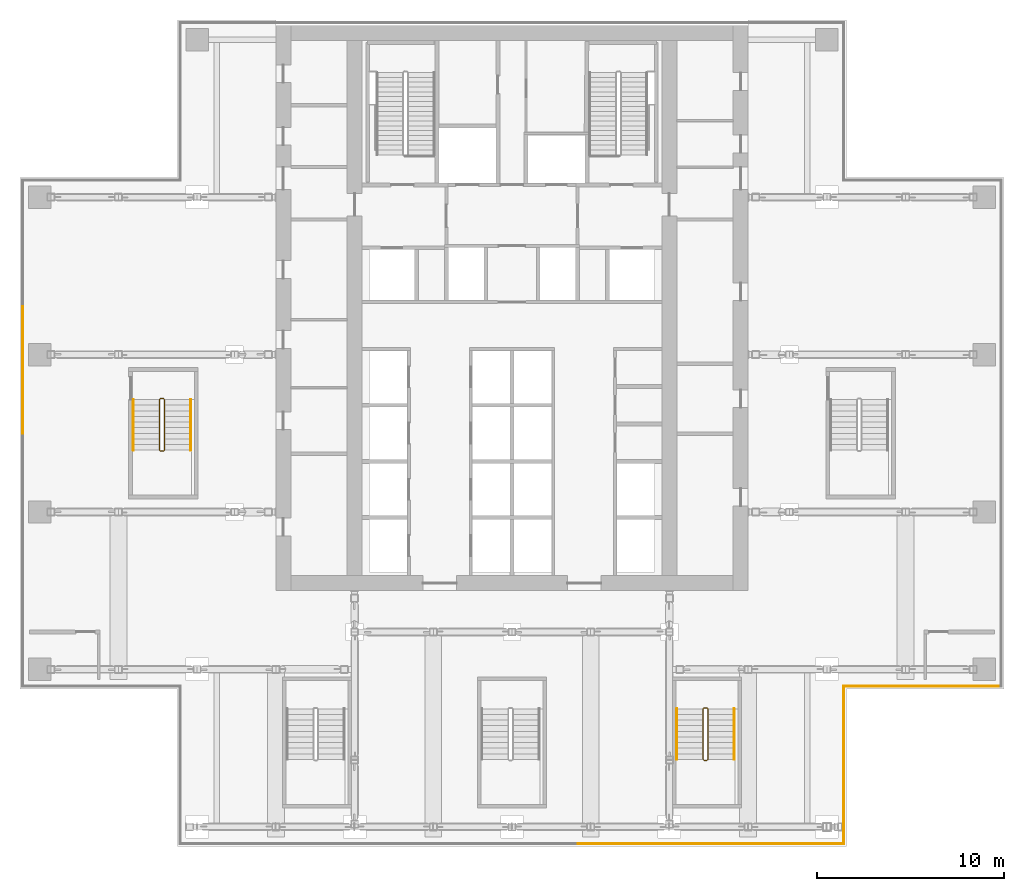
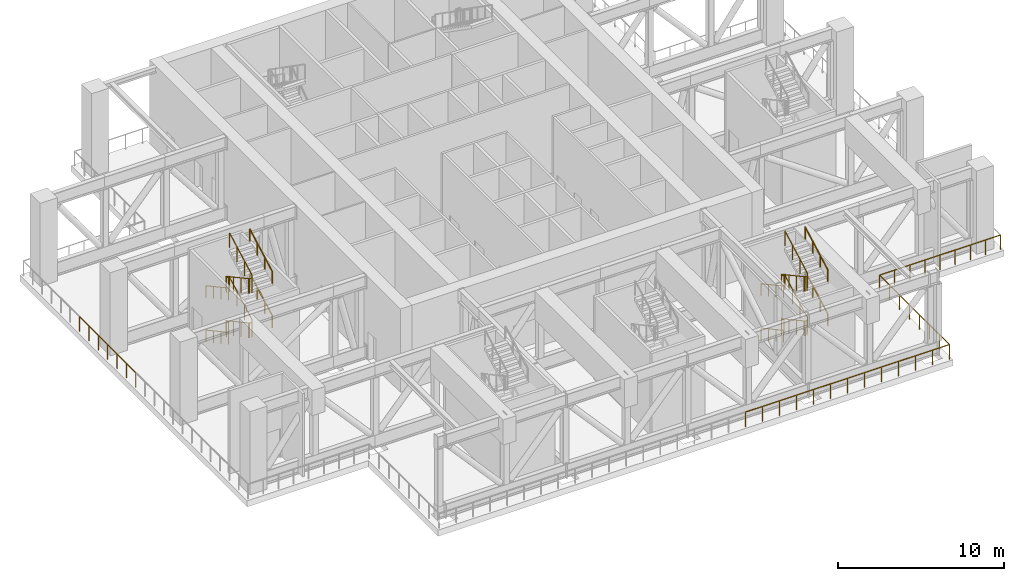
# One storey, part 21 of 23: 15 railings.
"""IFC4 building model written with IfcOpenShell, lengths in metres."""

from ifc_helpers import new_model, si_unit, direction, frame, origin, origin_2d, place, context, subcontext, project, spatial, rectangle, extrude, material, type_object, element, save


model = new_model("IFC4")

# Units and contexts
model_context = context("Model", 3, precision=1e-05, world=origin(), true_north=direction((0.0, 1.0)))
body_context = subcontext(model_context, "Body", "Model", "MODEL_VIEW")
ifc_project = project(units=[si_unit("LENGTHUNIT", "METRE"), si_unit("AREAUNIT", "SQUARE_METRE"), si_unit("VOLUMEUNIT", "CUBIC_METRE"), si_unit("PLANEANGLEUNIT", "RADIAN"), si_unit("MASSUNIT", "GRAM", prefix="KILO")], contexts=[model_context])

# Site, building, storey
site_placement = place(None, origin())
site = spatial("IfcSite", under=ifc_project, at=site_placement, CompositionType="ELEMENT")
building_placement = place(site_placement, origin())
building = spatial("IfcBuilding", under=site, at=building_placement, Name="Vermilion Ogive Tower", CompositionType="ELEMENT")
storey_placement = place(building_placement, frame((0.0, 0.0, 121.800048828125)))
storey = spatial("IfcBuildingStorey", under=building, at=storey_placement, Name="L31", CompositionType="ELEMENT", Elevation=121.800048828125)

# Railings
ifc_material_1 = material(Name="Stainless steel and glass", Category="steel")
railing_type_1 = type_object("IfcRailingType", Name="Edge guard", PredefinedType="GUARDRAIL", material=ifc_material_1)
railing_1_placement = place(storey_placement, frame((-26.10009765625, 0.0, 0.0)))
element("IfcRailing", 1, at=railing_1_placement, inside=storey, type_object=railing_type_1, Name="Open edge guard L31 3.3", PredefinedType="GUARDRAIL", context=body_context, shape_type="SweptSolid", body=[
    extrude(rectangle(XDim=0.048095703125, YDim=0.048095703125, at=origin_2d()), frame((0.0, 0.0, 1.076171875), z_axis=(0.0, 1.0, 0.0), x_axis=(-1.0, 0.0, 0.0)), (0.0, 0.0, 1.0), 6.75),
    extrude(rectangle(XDim=0.0419921875, YDim=0.0419921875, at=origin_2d()), origin(), (0.0, 0.0, 1.0), 1.052001953125),
    extrude(rectangle(XDim=0.0419921875, YDim=0.0419921875, at=origin_2d()), frame((0.0, 1.125, 0.0)), (0.0, 0.0, 1.0), 1.052001953125),
    extrude(rectangle(XDim=0.0419921875, YDim=0.0419921875, at=origin_2d()), frame((0.0, 2.25, 0.0)), (0.0, 0.0, 1.0), 1.052001953125),
    extrude(rectangle(XDim=0.0419921875, YDim=0.0419921875, at=origin_2d()), frame((0.0, 3.375, 0.0)), (0.0, 0.0, 1.0), 1.052001953125),
    extrude(rectangle(XDim=0.0419921875, YDim=0.0419921875, at=origin_2d()), frame((0.0, 4.5, 0.0)), (0.0, 0.0, 1.0), 1.052001953125),
    extrude(rectangle(XDim=0.0419921875, YDim=0.0419921875, at=origin_2d()), frame((0.0, 5.625, 0.0)), (0.0, 0.0, 1.0), 1.052001953125),
    extrude(rectangle(XDim=0.0419921875, YDim=0.0419921875, at=origin_2d()), frame((0.0, 6.75, 0.0)), (0.0, 0.0, 1.0), 1.052001953125),
])
railing_2_placement = place(storey_placement, frame((26.10009765625, -13.5, 0.0)))
element("IfcRailing", 2, at=railing_2_placement, inside=storey, type_object=railing_type_1, Name="Open edge guard L31 10.1", PredefinedType="GUARDRAIL", context=body_context, shape_type="SweptSolid", body=[
    extrude(rectangle(XDim=0.048095703125, YDim=0.048095703125, at=origin_2d()), frame((0.0, 0.0, 1.076171875), z_axis=(-1.0, 0.0, 0.0), x_axis=(0.0, -1.0, 0.0)), (0.0, 0.0, 1.0), 8.400146484375),
    extrude(rectangle(XDim=0.0419921875, YDim=0.0419921875, at=origin_2d()), origin(), (0.0, 0.0, 1.0), 1.052001953125),
    extrude(rectangle(XDim=0.0419921875, YDim=0.0419921875, at=origin_2d()), frame((-1.050048828125, 0.0, 0.0)), (0.0, 0.0, 1.0), 1.052001953125),
    extrude(rectangle(XDim=0.0419921875, YDim=0.0419921875, at=origin_2d()), frame((-2.10009765625, 0.0, 0.0)), (0.0, 0.0, 1.0), 1.052001953125),
    extrude(rectangle(XDim=0.0419921875, YDim=0.0419921875, at=origin_2d()), frame((-3.150146484375, 0.0, 0.0)), (0.0, 0.0, 1.0), 1.052001953125),
    extrude(rectangle(XDim=0.0419921875, YDim=0.0419921875, at=origin_2d()), frame((-4.2001953125, 0.0, 0.0)), (0.0, 0.0, 1.0), 1.052001953125),
    extrude(rectangle(XDim=0.0419921875, YDim=0.0419921875, at=origin_2d()), frame((-5.25, 0.0, 0.0)), (0.0, 0.0, 1.0), 1.052001953125),
    extrude(rectangle(XDim=0.0419921875, YDim=0.0419921875, at=origin_2d()), frame((-6.300048828125, 0.0, 0.0)), (0.0, 0.0, 1.0), 1.052001953125),
    extrude(rectangle(XDim=0.0419921875, YDim=0.0419921875, at=origin_2d()), frame((-7.35009765625, 0.0, 0.0)), (0.0, 0.0, 1.0), 1.052001953125),
    extrude(rectangle(XDim=0.0419921875, YDim=0.0419921875, at=origin_2d()), frame((-8.400146484375, 0.0, 0.0)), (0.0, 0.0, 1.0), 1.052001953125),
])
railing_3_placement = place(storey_placement, frame((17.699951171875, -13.5, 0.0)))
element("IfcRailing", 3, at=railing_3_placement, inside=storey, type_object=railing_type_1, Name="Open edge guard L31 11.1", PredefinedType="GUARDRAIL", context=body_context, shape_type="SweptSolid", body=[
    extrude(rectangle(XDim=0.048095703125, YDim=0.048095703125, at=origin_2d()), frame((0.0, 0.0, 1.076171875), z_axis=(0.0, -1.0, 0.0), x_axis=(1.0, 0.0, 0.0)), (0.0, 0.0, 1.0), 8.39990234375),
    extrude(rectangle(XDim=0.0419921875, YDim=0.0419921875, at=origin_2d()), origin(), (0.0, 0.0, 1.0), 1.052001953125),
    extrude(rectangle(XDim=0.0419921875, YDim=0.0419921875, at=origin_2d()), frame((0.0, -1.199951171875, 0.0)), (0.0, 0.0, 1.0), 1.052001953125),
    extrude(rectangle(XDim=0.0419921875, YDim=0.0419921875, at=origin_2d()), frame((0.0, -2.39990234375, 0.0)), (0.0, 0.0, 1.0), 1.052001953125),
    extrude(rectangle(XDim=0.0419921875, YDim=0.0419921875, at=origin_2d()), frame((0.0, -3.599853515625, 0.0)), (0.0, 0.0, 1.0), 1.052001953125),
    extrude(rectangle(XDim=0.0419921875, YDim=0.0419921875, at=origin_2d()), frame((0.0, -4.800048828125, 0.0)), (0.0, 0.0, 1.0), 1.052001953125),
    extrude(rectangle(XDim=0.0419921875, YDim=0.0419921875, at=origin_2d()), frame((0.0, -6.0, 0.0)), (0.0, 0.0, 1.0), 1.052001953125),
    extrude(rectangle(XDim=0.0419921875, YDim=0.0419921875, at=origin_2d()), frame((0.0, -7.199951171875, 0.0)), (0.0, 0.0, 1.0), 1.052001953125),
    extrude(rectangle(XDim=0.0419921875, YDim=0.0419921875, at=origin_2d()), frame((0.0, -8.39990234375, 0.0)), (0.0, 0.0, 1.0), 1.052001953125),
])
railing_4_placement = place(storey_placement, frame((17.699951171875, -21.89990234375, 0.0)))
element("IfcRailing", 4, at=railing_4_placement, inside=storey, type_object=railing_type_1, Name="Open edge guard L31 12.1", PredefinedType="GUARDRAIL", context=body_context, shape_type="SweptSolid", body=[
    extrude(rectangle(XDim=0.048095703125, YDim=0.048095703125, at=origin_2d()), frame((0.0, 0.0, 1.076171875), z_axis=(-1.0, 0.0, 0.0), x_axis=(0.0, -1.0, 0.0)), (0.0, 0.0, 1.0), 7.079833984375),
    extrude(rectangle(XDim=0.0419921875, YDim=0.0419921875, at=origin_2d()), origin(), (0.0, 0.0, 1.0), 1.052001953125),
    extrude(rectangle(XDim=0.0419921875, YDim=0.0419921875, at=origin_2d()), frame((-1.179931640625, 0.0, 0.0)), (0.0, 0.0, 1.0), 1.052001953125),
    extrude(rectangle(XDim=0.0419921875, YDim=0.0419921875, at=origin_2d()), frame((-2.35986328125, 0.0, 0.0)), (0.0, 0.0, 1.0), 1.052001953125),
    extrude(rectangle(XDim=0.0419921875, YDim=0.0419921875, at=origin_2d()), frame((-3.5400390625, 0.0, 0.0)), (0.0, 0.0, 1.0), 1.052001953125),
    extrude(rectangle(XDim=0.0419921875, YDim=0.0419921875, at=origin_2d()), frame((-4.719970703125, 0.0, 0.0)), (0.0, 0.0, 1.0), 1.052001953125),
    extrude(rectangle(XDim=0.0419921875, YDim=0.0419921875, at=origin_2d()), frame((-5.89990234375, 0.0, 0.0)), (0.0, 0.0, 1.0), 1.052001953125),
    extrude(rectangle(XDim=0.0419921875, YDim=0.0419921875, at=origin_2d()), frame((-7.079833984375, 0.0, 0.0)), (0.0, 0.0, 1.0), 1.052001953125),
])
railing_5_placement = place(storey_placement, frame((10.6201171875, -21.89990234375, 0.0)))
element("IfcRailing", 5, at=railing_5_placement, inside=storey, type_object=railing_type_1, Name="Open edge guard L31 12.2", PredefinedType="GUARDRAIL", context=body_context, shape_type="SweptSolid", body=[
    extrude(rectangle(XDim=0.048095703125, YDim=0.048095703125, at=origin_2d()), frame((0.0, 0.0, 1.076171875), z_axis=(-1.0, 0.0, 0.0), x_axis=(0.0, -1.0, 0.0)), (0.0, 0.0, 1.0), 7.080078125),
    extrude(rectangle(XDim=0.0419921875, YDim=0.0419921875, at=origin_2d()), origin(), (0.0, 0.0, 1.0), 1.052001953125),
    extrude(rectangle(XDim=0.0419921875, YDim=0.0419921875, at=origin_2d()), frame((-1.179931640625, 0.0, 0.0)), (0.0, 0.0, 1.0), 1.052001953125),
    extrude(rectangle(XDim=0.0419921875, YDim=0.0419921875, at=origin_2d()), frame((-2.360107421875, 0.0, 0.0)), (0.0, 0.0, 1.0), 1.052001953125),
    extrude(rectangle(XDim=0.0419921875, YDim=0.0419921875, at=origin_2d()), frame((-3.5400390625, 0.0, 0.0)), (0.0, 0.0, 1.0), 1.052001953125),
    extrude(rectangle(XDim=0.0419921875, YDim=0.0419921875, at=origin_2d()), frame((-4.719970703125, 0.0, 0.0)), (0.0, 0.0, 1.0), 1.052001953125),
    extrude(rectangle(XDim=0.0419921875, YDim=0.0419921875, at=origin_2d()), frame((-5.900146484375, 0.0, 0.0)), (0.0, 0.0, 1.0), 1.052001953125),
    extrude(rectangle(XDim=0.0419921875, YDim=0.0419921875, at=origin_2d()), frame((-7.080078125, 0.0, 0.0)), (0.0, 0.0, 1.0), 1.052001953125),
])
ifc_material_2 = material(Name="Steel S355 painted", Category="steel")
railing_type_2 = type_object("IfcRailingType", Name="Stair guard 1100", PredefinedType="GUARDRAIL", material=ifc_material_2)
railing_6_placement = place(storey_placement, frame((10.39990234375, -14.64990234375, 0.0)))
element("IfcRailing", 6, at=railing_6_placement, inside=storey, type_object=railing_type_2, Name="L31 ST5 stair guard 8", PredefinedType="GUARDRAIL", context=body_context, shape_type="SweptSolid", body=[
    extrude(rectangle(XDim=0.048095703125, YDim=0.048095703125, at=origin_2d()), frame((0.0, 0.0, 1.076171875), z_axis=(-1.0, 0.0, 0.0), x_axis=(0.0, -1.0, 0.0)), (0.0, 0.0, 1.0), 0.14990234375),
    extrude(rectangle(XDim=0.048095703125, YDim=0.048095703125, at=origin_2d()), frame((-0.14990234375, 0.0, 1.076171875), z_axis=(-0.282583949758, -0.282583949758, 0.916674763849), x_axis=(0.707106781187, -0.707106781187, 0.0)), (0.0, 0.0, 1.0), 0.177001953125),
    extrude(rectangle(XDim=0.048095703125, YDim=0.048095703125, at=origin_2d()), frame((-0.199951171875, -0.050048828125, 1.23828125), z_axis=(0.0, -0.879268380148, 0.476326690069), x_axis=(1.0, 0.0, 0.0)), (0.0, 0.0, 1.0), 3.07080078125),
    extrude(rectangle(XDim=0.048095703125, YDim=0.048095703125, at=origin_2d()), frame((-0.199951171875, -2.75, 2.701171875), z_axis=(0.707106781187, -0.707106781187, 0.0), x_axis=(0.707106781187, 0.707106781187, 0.0)), (0.0, 0.0, 1.0), 0.07080078125),
    extrude(rectangle(XDim=0.048095703125, YDim=0.048095703125, at=origin_2d()), frame((-0.14990234375, -2.800048828125, 2.701171875), z_axis=(1.0, 0.0, 0.0), x_axis=(0.0, 1.0, 0.0)), (0.0, 0.0, 1.0), 0.14990234375),
    extrude(rectangle(XDim=0.048095703125, YDim=0.048095703125, at=origin_2d()), frame((0.0, -2.800048828125, 2.701171875), z_axis=(0.282583949758, 0.282583949758, 0.916674763849), x_axis=(-0.707106781187, 0.707106781187, 0.0)), (0.0, 0.0, 1.0), 0.177001953125),
    extrude(rectangle(XDim=0.048095703125, YDim=0.048095703125, at=origin_2d()), frame((0.050048828125, -2.75, 2.86328125), z_axis=(0.0, 0.879268380148, 0.476326690069), x_axis=(-1.0, 0.0, 0.0)), (0.0, 0.0, 1.0), 3.07080078125),
    extrude(rectangle(XDim=0.048095703125, YDim=0.048095703125, at=origin_2d()), frame((0.050048828125, -0.050048828125, 4.326171875), z_axis=(-0.707106781187, 0.707106781187, 0.0), x_axis=(-0.707106781187, -0.707106781187, 0.0)), (0.0, 0.0, 1.0), 0.07080078125),
    extrude(rectangle(XDim=0.048095703125, YDim=0.048095703125, at=origin_2d()), frame((0.0, 0.0, 4.326171875), z_axis=(-1.0, 0.0, 0.0), x_axis=(0.0, -1.0, 0.0)), (0.0, 0.0, 1.0), 0.14990234375),
    extrude(rectangle(XDim=0.048095703125, YDim=0.048095703125, at=origin_2d()), frame((-0.14990234375, 0.0, 4.326171875), z_axis=(-0.282583949758, -0.282583949758, 0.916674763849), x_axis=(0.707106781187, -0.707106781187, 0.0)), (0.0, 0.0, 1.0), 0.177001953125),
    extrude(rectangle(XDim=0.048095703125, YDim=0.048095703125, at=origin_2d()), frame((-0.199951171875, -0.050048828125, 4.48828125), z_axis=(0.0, -0.879268380148, 0.476326690069), x_axis=(1.0, 0.0, 0.0)), (0.0, 0.0, 1.0), 3.07080078125),
    extrude(rectangle(XDim=0.048095703125, YDim=0.048095703125, at=origin_2d()), frame((-0.199951171875, -2.75, 5.951171875), z_axis=(0.707106781187, -0.707106781187, 0.0), x_axis=(0.707106781187, 0.707106781187, 0.0)), (0.0, 0.0, 1.0), 0.07080078125),
    extrude(rectangle(XDim=0.048095703125, YDim=0.048095703125, at=origin_2d()), frame((-0.14990234375, -2.800048828125, 5.951171875), z_axis=(1.0, 0.0, 0.0), x_axis=(0.0, 1.0, 0.0)), (0.0, 0.0, 1.0), 0.14990234375),
    extrude(rectangle(XDim=0.048095703125, YDim=0.048095703125, at=origin_2d()), frame((0.0, -2.800048828125, 5.951171875), z_axis=(0.282583949758, 0.282583949758, 0.916674763849), x_axis=(-0.707106781187, 0.707106781187, 0.0)), (0.0, 0.0, 1.0), 0.177001953125),
    extrude(rectangle(XDim=0.048095703125, YDim=0.048095703125, at=origin_2d()), frame((0.050048828125, -2.75, 6.11328125), z_axis=(0.0, 0.879268380148, 0.476326690069), x_axis=(-1.0, 0.0, 0.0)), (0.0, 0.0, 1.0), 3.07080078125),
    extrude(rectangle(XDim=0.0419921875, YDim=0.0419921875, at=origin_2d()), origin(), (0.0, 0.0, 1.0), 1.052001953125),
    extrude(rectangle(XDim=0.0419921875, YDim=0.0419921875, at=origin_2d()), frame((-0.14990234375, 0.0, 0.0)), (0.0, 0.0, 1.0), 1.052001953125),
    extrude(rectangle(XDim=0.0419921875, YDim=0.0419921875, at=origin_2d()), frame((-0.199951171875, -0.050048828125, 0.162353515625)), (0.0, 0.0, 1.0), 1.052001953125),
    extrude(rectangle(XDim=0.0419921875, YDim=0.0419921875, at=origin_2d()), frame((-0.199951171875, -0.949951171875, 0.64990234375)), (0.0, 0.0, 1.0), 1.052001953125),
    extrude(rectangle(XDim=0.0419921875, YDim=0.0419921875, at=origin_2d()), frame((-0.199951171875, -1.85009765625, 1.137451171875)), (0.0, 0.0, 1.0), 1.052001953125),
    extrude(rectangle(XDim=0.0419921875, YDim=0.0419921875, at=origin_2d()), frame((-0.199951171875, -2.75, 1.625)), (0.0, 0.0, 1.0), 1.052001953125),
    extrude(rectangle(XDim=0.0419921875, YDim=0.0419921875, at=origin_2d()), frame((-0.14990234375, -2.800048828125, 1.625)), (0.0, 0.0, 1.0), 1.052001953125),
    extrude(rectangle(XDim=0.0419921875, YDim=0.0419921875, at=origin_2d()), frame((0.0, -2.800048828125, 1.625)), (0.0, 0.0, 1.0), 1.052001953125),
    extrude(rectangle(XDim=0.0419921875, YDim=0.0419921875, at=origin_2d()), frame((0.050048828125, -2.75, 1.787353515625)), (0.0, 0.0, 1.0), 1.052001953125),
    extrude(rectangle(XDim=0.0419921875, YDim=0.0419921875, at=origin_2d()), frame((0.050048828125, -1.85009765625, 2.27490234375)), (0.0, 0.0, 1.0), 1.052001953125),
    extrude(rectangle(XDim=0.0419921875, YDim=0.0419921875, at=origin_2d()), frame((0.050048828125, -0.949951171875, 2.762451171875)), (0.0, 0.0, 1.0), 1.052001953125),
    extrude(rectangle(XDim=0.0419921875, YDim=0.0419921875, at=origin_2d()), frame((0.050048828125, -0.050048828125, 3.25)), (0.0, 0.0, 1.0), 1.052001953125),
    extrude(rectangle(XDim=0.0419921875, YDim=0.0419921875, at=origin_2d()), frame((0.0, 0.0, 3.25)), (0.0, 0.0, 1.0), 1.052001953125),
    extrude(rectangle(XDim=0.0419921875, YDim=0.0419921875, at=origin_2d()), frame((-0.14990234375, 0.0, 3.25)), (0.0, 0.0, 1.0), 1.052001953125),
    extrude(rectangle(XDim=0.0419921875, YDim=0.0419921875, at=origin_2d()), frame((-0.199951171875, -0.050048828125, 3.412353515625)), (0.0, 0.0, 1.0), 1.052001953125),
    extrude(rectangle(XDim=0.0419921875, YDim=0.0419921875, at=origin_2d()), frame((-0.199951171875, -0.949951171875, 3.89990234375)), (0.0, 0.0, 1.0), 1.052001953125),
    extrude(rectangle(XDim=0.0419921875, YDim=0.0419921875, at=origin_2d()), frame((-0.199951171875, -1.85009765625, 4.387451171875)), (0.0, 0.0, 1.0), 1.052001953125),
    extrude(rectangle(XDim=0.0419921875, YDim=0.0419921875, at=origin_2d()), frame((-0.199951171875, -2.75, 4.875)), (0.0, 0.0, 1.0), 1.052001953125),
    extrude(rectangle(XDim=0.0419921875, YDim=0.0419921875, at=origin_2d()), frame((-0.14990234375, -2.800048828125, 4.875)), (0.0, 0.0, 1.0), 1.052001953125),
    extrude(rectangle(XDim=0.0419921875, YDim=0.0419921875, at=origin_2d()), frame((0.0, -2.800048828125, 4.875)), (0.0, 0.0, 1.0), 1.052001953125),
    extrude(rectangle(XDim=0.0419921875, YDim=0.0419921875, at=origin_2d()), frame((0.050048828125, -2.75, 5.037353515625)), (0.0, 0.0, 1.0), 1.052001953125),
    extrude(rectangle(XDim=0.0419921875, YDim=0.0419921875, at=origin_2d()), frame((0.050048828125, -1.85009765625, 5.52490234375)), (0.0, 0.0, 1.0), 1.052001953125),
    extrude(rectangle(XDim=0.0419921875, YDim=0.0419921875, at=origin_2d()), frame((0.050048828125, -0.949951171875, 6.012451171875)), (0.0, 0.0, 1.0), 1.052001953125),
    extrude(rectangle(XDim=0.0419921875, YDim=0.0419921875, at=origin_2d()), frame((0.050048828125, -0.050048828125, 6.5)), (0.0, 0.0, 1.0), 1.052001953125),
])
railing_7_placement = place(storey_placement, frame((-18.60009765625, 1.85009765625, 0.0)))
element("IfcRailing", 7, at=railing_7_placement, inside=storey, type_object=railing_type_2, Name="L31 ST9 stair guard 8", PredefinedType="GUARDRAIL", context=body_context, shape_type="SweptSolid", body=[
    extrude(rectangle(XDim=0.048095703125, YDim=0.048095703125, at=origin_2d()), frame((0.0, 0.0, 1.076171875), z_axis=(-1.0, 0.0, 0.0), x_axis=(0.0, -1.0, 0.0)), (0.0, 0.0, 1.0), 0.14990234375),
    extrude(rectangle(XDim=0.048095703125, YDim=0.048095703125, at=origin_2d()), frame((-0.14990234375, 0.0, 1.076171875), z_axis=(-0.282583949758, -0.282583949758, 0.916674763849), x_axis=(0.707106781187, -0.707106781187, 0.0)), (0.0, 0.0, 1.0), 0.177001953125),
    extrude(rectangle(XDim=0.048095703125, YDim=0.048095703125, at=origin_2d()), frame((-0.199951171875, -0.050048828125, 1.23828125), z_axis=(0.0, -0.879268380148, 0.476326690069), x_axis=(1.0, 0.0, 0.0)), (0.0, 0.0, 1.0), 3.07080078125),
    extrude(rectangle(XDim=0.048095703125, YDim=0.048095703125, at=origin_2d()), frame((-0.199951171875, -2.75, 2.701171875), z_axis=(0.707106781187, -0.707106781187, 0.0), x_axis=(0.707106781187, 0.707106781187, 0.0)), (0.0, 0.0, 1.0), 0.07080078125),
    extrude(rectangle(XDim=0.048095703125, YDim=0.048095703125, at=origin_2d()), frame((-0.14990234375, -2.800048828125, 2.701171875), z_axis=(1.0, 0.0, 0.0), x_axis=(0.0, 1.0, 0.0)), (0.0, 0.0, 1.0), 0.14990234375),
    extrude(rectangle(XDim=0.048095703125, YDim=0.048095703125, at=origin_2d()), frame((0.0, -2.800048828125, 2.701171875), z_axis=(0.282583949758, 0.282583949758, 0.916674763849), x_axis=(-0.707106781187, 0.707106781187, 0.0)), (0.0, 0.0, 1.0), 0.177001953125),
    extrude(rectangle(XDim=0.048095703125, YDim=0.048095703125, at=origin_2d()), frame((0.050048828125, -2.75, 2.86328125), z_axis=(0.0, 0.879268380148, 0.476326690069), x_axis=(-1.0, 0.0, 0.0)), (0.0, 0.0, 1.0), 3.07080078125),
    extrude(rectangle(XDim=0.048095703125, YDim=0.048095703125, at=origin_2d()), frame((0.050048828125, -0.050048828125, 4.326171875), z_axis=(-0.707106781187, 0.707106781187, 0.0), x_axis=(-0.707106781187, -0.707106781187, 0.0)), (0.0, 0.0, 1.0), 0.07080078125),
    extrude(rectangle(XDim=0.048095703125, YDim=0.048095703125, at=origin_2d()), frame((0.0, 0.0, 4.326171875), z_axis=(-1.0, 0.0, 0.0), x_axis=(0.0, -1.0, 0.0)), (0.0, 0.0, 1.0), 0.14990234375),
    extrude(rectangle(XDim=0.048095703125, YDim=0.048095703125, at=origin_2d()), frame((-0.14990234375, 0.0, 4.326171875), z_axis=(-0.282583949758, -0.282583949758, 0.916674763849), x_axis=(0.707106781187, -0.707106781187, 0.0)), (0.0, 0.0, 1.0), 0.177001953125),
    extrude(rectangle(XDim=0.048095703125, YDim=0.048095703125, at=origin_2d()), frame((-0.199951171875, -0.050048828125, 4.48828125), z_axis=(0.0, -0.879268380148, 0.476326690069), x_axis=(1.0, 0.0, 0.0)), (0.0, 0.0, 1.0), 3.07080078125),
    extrude(rectangle(XDim=0.048095703125, YDim=0.048095703125, at=origin_2d()), frame((-0.199951171875, -2.75, 5.951171875), z_axis=(0.707106781187, -0.707106781187, 0.0), x_axis=(0.707106781187, 0.707106781187, 0.0)), (0.0, 0.0, 1.0), 0.07080078125),
    extrude(rectangle(XDim=0.048095703125, YDim=0.048095703125, at=origin_2d()), frame((-0.14990234375, -2.800048828125, 5.951171875), z_axis=(1.0, 0.0, 0.0), x_axis=(0.0, 1.0, 0.0)), (0.0, 0.0, 1.0), 0.14990234375),
    extrude(rectangle(XDim=0.048095703125, YDim=0.048095703125, at=origin_2d()), frame((0.0, -2.800048828125, 5.951171875), z_axis=(0.282583949758, 0.282583949758, 0.916674763849), x_axis=(-0.707106781187, 0.707106781187, 0.0)), (0.0, 0.0, 1.0), 0.177001953125),
    extrude(rectangle(XDim=0.048095703125, YDim=0.048095703125, at=origin_2d()), frame((0.050048828125, -2.75, 6.11328125), z_axis=(0.0, 0.879268380148, 0.476326690069), x_axis=(-1.0, 0.0, 0.0)), (0.0, 0.0, 1.0), 3.07080078125),
    extrude(rectangle(XDim=0.0419921875, YDim=0.0419921875, at=origin_2d()), origin(), (0.0, 0.0, 1.0), 1.052001953125),
    extrude(rectangle(XDim=0.0419921875, YDim=0.0419921875, at=origin_2d()), frame((-0.14990234375, 0.0, 0.0)), (0.0, 0.0, 1.0), 1.052001953125),
    extrude(rectangle(XDim=0.0419921875, YDim=0.0419921875, at=origin_2d()), frame((-0.199951171875, -0.050048828125, 0.162353515625)), (0.0, 0.0, 1.0), 1.052001953125),
    extrude(rectangle(XDim=0.0419921875, YDim=0.0419921875, at=origin_2d()), frame((-0.199951171875, -0.949951171875, 0.64990234375)), (0.0, 0.0, 1.0), 1.052001953125),
    extrude(rectangle(XDim=0.0419921875, YDim=0.0419921875, at=origin_2d()), frame((-0.199951171875, -1.85009765625, 1.137451171875)), (0.0, 0.0, 1.0), 1.052001953125),
    extrude(rectangle(XDim=0.0419921875, YDim=0.0419921875, at=origin_2d()), frame((-0.199951171875, -2.75, 1.625)), (0.0, 0.0, 1.0), 1.052001953125),
    extrude(rectangle(XDim=0.0419921875, YDim=0.0419921875, at=origin_2d()), frame((-0.14990234375, -2.800048828125, 1.625)), (0.0, 0.0, 1.0), 1.052001953125),
    extrude(rectangle(XDim=0.0419921875, YDim=0.0419921875, at=origin_2d()), frame((0.0, -2.800048828125, 1.625)), (0.0, 0.0, 1.0), 1.052001953125),
    extrude(rectangle(XDim=0.0419921875, YDim=0.0419921875, at=origin_2d()), frame((0.050048828125, -2.75, 1.787353515625)), (0.0, 0.0, 1.0), 1.052001953125),
    extrude(rectangle(XDim=0.0419921875, YDim=0.0419921875, at=origin_2d()), frame((0.050048828125, -1.85009765625, 2.27490234375)), (0.0, 0.0, 1.0), 1.052001953125),
    extrude(rectangle(XDim=0.0419921875, YDim=0.0419921875, at=origin_2d()), frame((0.050048828125, -0.949951171875, 2.762451171875)), (0.0, 0.0, 1.0), 1.052001953125),
    extrude(rectangle(XDim=0.0419921875, YDim=0.0419921875, at=origin_2d()), frame((0.050048828125, -0.050048828125, 3.25)), (0.0, 0.0, 1.0), 1.052001953125),
    extrude(rectangle(XDim=0.0419921875, YDim=0.0419921875, at=origin_2d()), frame((0.0, 0.0, 3.25)), (0.0, 0.0, 1.0), 1.052001953125),
    extrude(rectangle(XDim=0.0419921875, YDim=0.0419921875, at=origin_2d()), frame((-0.14990234375, 0.0, 3.25)), (0.0, 0.0, 1.0), 1.052001953125),
    extrude(rectangle(XDim=0.0419921875, YDim=0.0419921875, at=origin_2d()), frame((-0.199951171875, -0.050048828125, 3.412353515625)), (0.0, 0.0, 1.0), 1.052001953125),
    extrude(rectangle(XDim=0.0419921875, YDim=0.0419921875, at=origin_2d()), frame((-0.199951171875, -0.949951171875, 3.89990234375)), (0.0, 0.0, 1.0), 1.052001953125),
    extrude(rectangle(XDim=0.0419921875, YDim=0.0419921875, at=origin_2d()), frame((-0.199951171875, -1.85009765625, 4.387451171875)), (0.0, 0.0, 1.0), 1.052001953125),
    extrude(rectangle(XDim=0.0419921875, YDim=0.0419921875, at=origin_2d()), frame((-0.199951171875, -2.75, 4.875)), (0.0, 0.0, 1.0), 1.052001953125),
    extrude(rectangle(XDim=0.0419921875, YDim=0.0419921875, at=origin_2d()), frame((-0.14990234375, -2.800048828125, 4.875)), (0.0, 0.0, 1.0), 1.052001953125),
    extrude(rectangle(XDim=0.0419921875, YDim=0.0419921875, at=origin_2d()), frame((0.0, -2.800048828125, 4.875)), (0.0, 0.0, 1.0), 1.052001953125),
    extrude(rectangle(XDim=0.0419921875, YDim=0.0419921875, at=origin_2d()), frame((0.050048828125, -2.75, 5.037353515625)), (0.0, 0.0, 1.0), 1.052001953125),
    extrude(rectangle(XDim=0.0419921875, YDim=0.0419921875, at=origin_2d()), frame((0.050048828125, -1.85009765625, 5.52490234375)), (0.0, 0.0, 1.0), 1.052001953125),
    extrude(rectangle(XDim=0.0419921875, YDim=0.0419921875, at=origin_2d()), frame((0.050048828125, -0.949951171875, 6.012451171875)), (0.0, 0.0, 1.0), 1.052001953125),
    extrude(rectangle(XDim=0.0419921875, YDim=0.0419921875, at=origin_2d()), frame((0.050048828125, -0.050048828125, 6.5)), (0.0, 0.0, 1.0), 1.052001953125),
])
ifc_material_3 = material(Name="Stainless steel", Category="steel")
railing_type_3 = type_object("IfcRailingType", Name="Stair handrail 900", PredefinedType="HANDRAIL", material=ifc_material_3)
railing_8_placement = place(storey_placement, frame((8.800048828125, -14.699951171875, 0.162353515625)))
element("IfcRailing", 8, at=railing_8_placement, inside=storey, type_object=railing_type_3, Name="L31 ST5 stair handrail 1", PredefinedType="HANDRAIL", context=body_context, shape_type="SweptSolid", body=[
    extrude(rectangle(XDim=0.048095703125, YDim=0.048095703125, at=origin_2d()), frame((0.0, 0.0, 0.8759765625), z_axis=(0.0, -0.879268380148, 0.476326690069), x_axis=(1.0, 0.0, 0.0)), (0.0, 0.0, 1.0), 3.07080078125),
    extrude(rectangle(XDim=0.0419921875, YDim=0.0419921875, at=origin_2d()), origin(), (0.0, 0.0, 1.0), 0.851806640625),
    extrude(rectangle(XDim=0.0419921875, YDim=0.0419921875, at=origin_2d()), frame((0.0, -0.89990234375, 0.487548828125)), (0.0, 0.0, 1.0), 0.851806640625),
    extrude(rectangle(XDim=0.0419921875, YDim=0.0419921875, at=origin_2d()), frame((0.0, -1.800048828125, 0.97509765625)), (0.0, 0.0, 1.0), 0.851806640625),
    extrude(rectangle(XDim=0.0419921875, YDim=0.0419921875, at=origin_2d()), frame((0.0, -2.699951171875, 1.462646484375)), (0.0, 0.0, 1.0), 0.851806640625),
])
railing_9_placement = place(storey_placement, frame((11.85009765625, -17.39990234375, 1.787353515625)))
element("IfcRailing", 9, at=railing_9_placement, inside=storey, type_object=railing_type_3, Name="L31 ST5 stair handrail 2", PredefinedType="HANDRAIL", context=body_context, shape_type="SweptSolid", body=[
    extrude(rectangle(XDim=0.048095703125, YDim=0.048095703125, at=origin_2d()), frame((0.0, 0.0, 0.8759765625), z_axis=(0.0, 0.879268380148, 0.476326690069), x_axis=(-1.0, 0.0, 0.0)), (0.0, 0.0, 1.0), 3.07080078125),
    extrude(rectangle(XDim=0.0419921875, YDim=0.0419921875, at=origin_2d()), origin(), (0.0, 0.0, 1.0), 0.851806640625),
    extrude(rectangle(XDim=0.0419921875, YDim=0.0419921875, at=origin_2d()), frame((0.0, 0.89990234375, 0.487548828125)), (0.0, 0.0, 1.0), 0.851806640625),
    extrude(rectangle(XDim=0.0419921875, YDim=0.0419921875, at=origin_2d()), frame((0.0, 1.800048828125, 0.97509765625)), (0.0, 0.0, 1.0), 0.851806640625),
    extrude(rectangle(XDim=0.0419921875, YDim=0.0419921875, at=origin_2d()), frame((0.0, 2.699951171875, 1.462646484375)), (0.0, 0.0, 1.0), 0.851806640625),
])
railing_10_placement = place(storey_placement, frame((8.800048828125, -14.699951171875, 3.412353515625)))
element("IfcRailing", 10, at=railing_10_placement, inside=storey, type_object=railing_type_3, Name="L31 ST5 stair handrail 3", PredefinedType="HANDRAIL", context=body_context, shape_type="SweptSolid", body=[
    extrude(rectangle(XDim=0.048095703125, YDim=0.048095703125, at=origin_2d()), frame((0.0, 0.0, 0.8759765625), z_axis=(0.0, -0.879268380148, 0.476326690069), x_axis=(1.0, 0.0, 0.0)), (0.0, 0.0, 1.0), 3.07080078125),
    extrude(rectangle(XDim=0.0419921875, YDim=0.0419921875, at=origin_2d()), origin(), (0.0, 0.0, 1.0), 0.851806640625),
    extrude(rectangle(XDim=0.0419921875, YDim=0.0419921875, at=origin_2d()), frame((0.0, -0.89990234375, 0.487548828125)), (0.0, 0.0, 1.0), 0.851806640625),
    extrude(rectangle(XDim=0.0419921875, YDim=0.0419921875, at=origin_2d()), frame((0.0, -1.800048828125, 0.97509765625)), (0.0, 0.0, 1.0), 0.851806640625),
    extrude(rectangle(XDim=0.0419921875, YDim=0.0419921875, at=origin_2d()), frame((0.0, -2.699951171875, 1.462646484375)), (0.0, 0.0, 1.0), 0.851806640625),
])
railing_11_placement = place(storey_placement, frame((11.85009765625, -17.39990234375, 5.037353515625)))
element("IfcRailing", 11, at=railing_11_placement, inside=storey, type_object=railing_type_3, Name="L31 ST5 stair handrail 4", PredefinedType="HANDRAIL", context=body_context, shape_type="SweptSolid", body=[
    extrude(rectangle(XDim=0.048095703125, YDim=0.048095703125, at=origin_2d()), frame((0.0, 0.0, 0.8759765625), z_axis=(0.0, 0.879268380148, 0.476326690069), x_axis=(-1.0, 0.0, 0.0)), (0.0, 0.0, 1.0), 3.07080078125),
    extrude(rectangle(XDim=0.0419921875, YDim=0.0419921875, at=origin_2d()), origin(), (0.0, 0.0, 1.0), 0.851806640625),
    extrude(rectangle(XDim=0.0419921875, YDim=0.0419921875, at=origin_2d()), frame((0.0, 0.89990234375, 0.487548828125)), (0.0, 0.0, 1.0), 0.851806640625),
    extrude(rectangle(XDim=0.0419921875, YDim=0.0419921875, at=origin_2d()), frame((0.0, 1.800048828125, 0.97509765625)), (0.0, 0.0, 1.0), 0.851806640625),
    extrude(rectangle(XDim=0.0419921875, YDim=0.0419921875, at=origin_2d()), frame((0.0, 2.699951171875, 1.462646484375)), (0.0, 0.0, 1.0), 0.851806640625),
])
railing_12_placement = place(storey_placement, frame((-20.199951171875, 1.800048828125, 0.162353515625)))
element("IfcRailing", 12, at=railing_12_placement, inside=storey, type_object=railing_type_3, Name="L31 ST9 stair handrail 1", PredefinedType="HANDRAIL", context=body_context, shape_type="SweptSolid", body=[
    extrude(rectangle(XDim=0.048095703125, YDim=0.048095703125, at=origin_2d()), frame((0.0, 0.0, 0.8759765625), z_axis=(0.0, -0.879268380148, 0.476326690069), x_axis=(1.0, 0.0, 0.0)), (0.0, 0.0, 1.0), 3.07080078125),
    extrude(rectangle(XDim=0.0419921875, YDim=0.0419921875, at=origin_2d()), origin(), (0.0, 0.0, 1.0), 0.851806640625),
    extrude(rectangle(XDim=0.0419921875, YDim=0.0419921875, at=origin_2d()), frame((0.0, -0.89990234375, 0.487548828125)), (0.0, 0.0, 1.0), 0.851806640625),
    extrude(rectangle(XDim=0.0419921875, YDim=0.0419921875, at=origin_2d()), frame((0.0, -1.800048828125, 0.97509765625)), (0.0, 0.0, 1.0), 0.851806640625),
    extrude(rectangle(XDim=0.0419921875, YDim=0.0419921875, at=origin_2d()), frame((0.0, -2.699951171875, 1.462646484375)), (0.0, 0.0, 1.0), 0.851806640625),
])
railing_13_placement = place(storey_placement, frame((-17.14990234375, -0.89990234375, 1.787353515625)))
element("IfcRailing", 13, at=railing_13_placement, inside=storey, type_object=railing_type_3, Name="L31 ST9 stair handrail 2", PredefinedType="HANDRAIL", context=body_context, shape_type="SweptSolid", body=[
    extrude(rectangle(XDim=0.048095703125, YDim=0.048095703125, at=origin_2d()), frame((0.0, 0.0, 0.8759765625), z_axis=(0.0, 0.879268380148, 0.476326690069), x_axis=(-1.0, 0.0, 0.0)), (0.0, 0.0, 1.0), 3.07080078125),
    extrude(rectangle(XDim=0.0419921875, YDim=0.0419921875, at=origin_2d()), origin(), (0.0, 0.0, 1.0), 0.851806640625),
    extrude(rectangle(XDim=0.0419921875, YDim=0.0419921875, at=origin_2d()), frame((0.0, 0.89990234375, 0.487548828125)), (0.0, 0.0, 1.0), 0.851806640625),
    extrude(rectangle(XDim=0.0419921875, YDim=0.0419921875, at=origin_2d()), frame((0.0, 1.800048828125, 0.97509765625)), (0.0, 0.0, 1.0), 0.851806640625),
    extrude(rectangle(XDim=0.0419921875, YDim=0.0419921875, at=origin_2d()), frame((0.0, 2.699951171875, 1.462646484375)), (0.0, 0.0, 1.0), 0.851806640625),
])
railing_14_placement = place(storey_placement, frame((-20.199951171875, 1.800048828125, 3.412353515625)))
element("IfcRailing", 14, at=railing_14_placement, inside=storey, type_object=railing_type_3, Name="L31 ST9 stair handrail 3", PredefinedType="HANDRAIL", context=body_context, shape_type="SweptSolid", body=[
    extrude(rectangle(XDim=0.048095703125, YDim=0.048095703125, at=origin_2d()), frame((0.0, 0.0, 0.8759765625), z_axis=(0.0, -0.879268380148, 0.476326690069), x_axis=(1.0, 0.0, 0.0)), (0.0, 0.0, 1.0), 3.07080078125),
    extrude(rectangle(XDim=0.0419921875, YDim=0.0419921875, at=origin_2d()), origin(), (0.0, 0.0, 1.0), 0.851806640625),
    extrude(rectangle(XDim=0.0419921875, YDim=0.0419921875, at=origin_2d()), frame((0.0, -0.89990234375, 0.487548828125)), (0.0, 0.0, 1.0), 0.851806640625),
    extrude(rectangle(XDim=0.0419921875, YDim=0.0419921875, at=origin_2d()), frame((0.0, -1.800048828125, 0.97509765625)), (0.0, 0.0, 1.0), 0.851806640625),
    extrude(rectangle(XDim=0.0419921875, YDim=0.0419921875, at=origin_2d()), frame((0.0, -2.699951171875, 1.462646484375)), (0.0, 0.0, 1.0), 0.851806640625),
])
railing_15_placement = place(storey_placement, frame((-17.14990234375, -0.89990234375, 5.037353515625)))
element("IfcRailing", 15, at=railing_15_placement, inside=storey, type_object=railing_type_3, Name="L31 ST9 stair handrail 4", PredefinedType="HANDRAIL", context=body_context, shape_type="SweptSolid", body=[
    extrude(rectangle(XDim=0.048095703125, YDim=0.048095703125, at=origin_2d()), frame((0.0, 0.0, 0.8759765625), z_axis=(0.0, 0.879268380148, 0.476326690069), x_axis=(-1.0, 0.0, 0.0)), (0.0, 0.0, 1.0), 3.07080078125),
    extrude(rectangle(XDim=0.0419921875, YDim=0.0419921875, at=origin_2d()), origin(), (0.0, 0.0, 1.0), 0.851806640625),
    extrude(rectangle(XDim=0.0419921875, YDim=0.0419921875, at=origin_2d()), frame((0.0, 0.89990234375, 0.487548828125)), (0.0, 0.0, 1.0), 0.851806640625),
    extrude(rectangle(XDim=0.0419921875, YDim=0.0419921875, at=origin_2d()), frame((0.0, 1.800048828125, 0.97509765625)), (0.0, 0.0, 1.0), 0.851806640625),
    extrude(rectangle(XDim=0.0419921875, YDim=0.0419921875, at=origin_2d()), frame((0.0, 2.699951171875, 1.462646484375)), (0.0, 0.0, 1.0), 0.851806640625),
])

save(model, "model.ifc")
